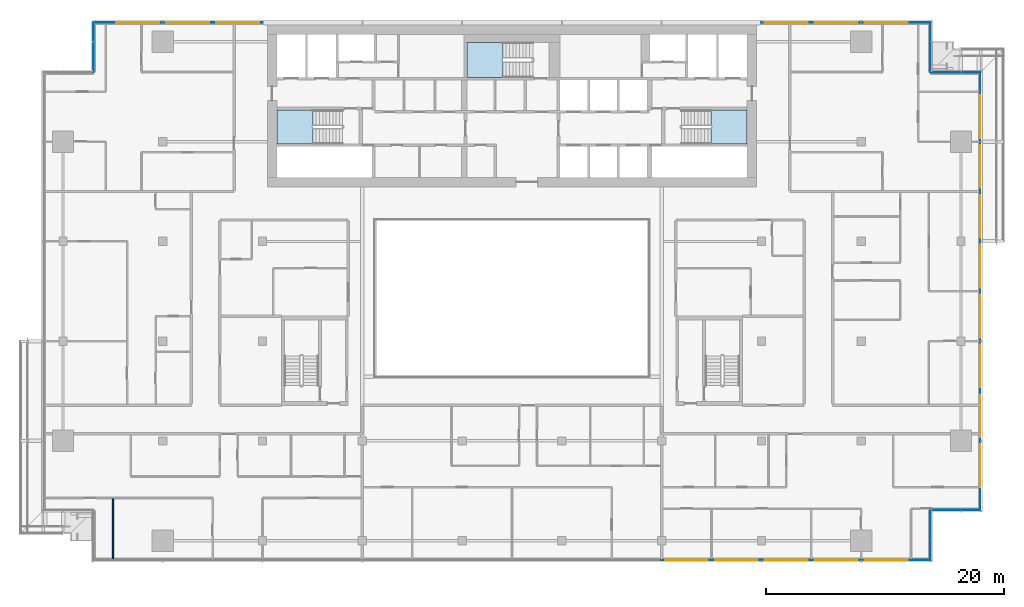
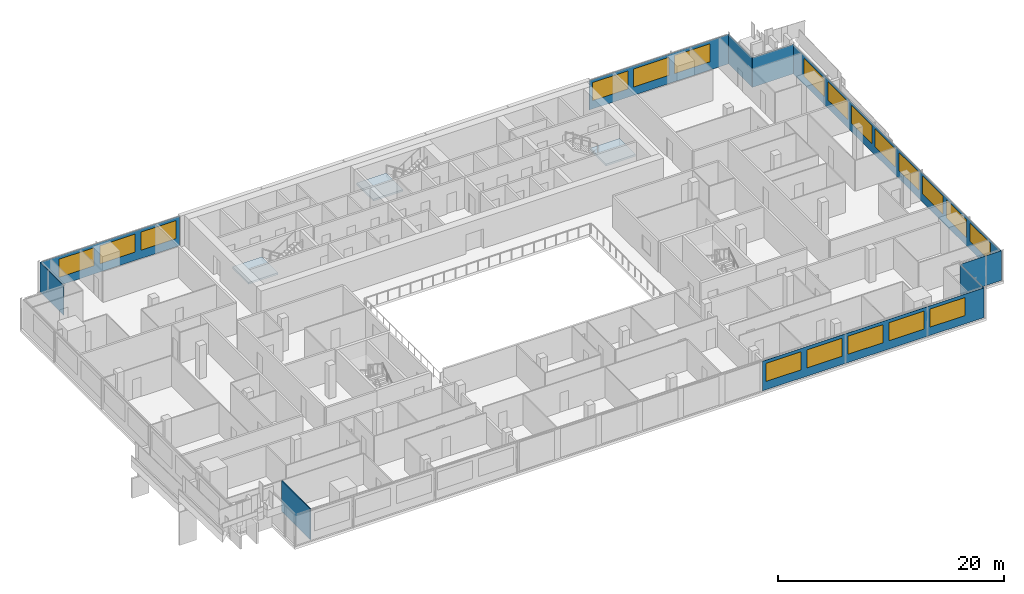
# One storey, part 15 of 29: 19 windows, 9 plates, 3 slabs, 1 wall, 19 openings, 11 elements without a shape of their own.
"""IFC4 building model written with IfcOpenShell, lengths in metres."""

from ifc_helpers import new_model, si_unit, direction, frame, frame_2d, origin, place, context, subcontext, project, spatial, polyline, rectangle, outline, extrude, material, layer, layer_set, type_object, element, fill, aggregate, save


model = new_model("IFC4")

# Units and contexts
model_context = context("Model", 3, precision=1e-05, world=origin(), true_north=direction((0.0, 1.0)))
body_context = subcontext(model_context, "Body", "Model", "MODEL_VIEW")
ifc_project = project(units=[si_unit("LENGTHUNIT", "METRE"), si_unit("AREAUNIT", "SQUARE_METRE"), si_unit("VOLUMEUNIT", "CUBIC_METRE"), si_unit("PLANEANGLEUNIT", "RADIAN"), si_unit("MASSUNIT", "GRAM", prefix="KILO")], contexts=[model_context])

# Site, building, storey
site_placement = place(None, origin())
site = spatial("IfcSite", under=ifc_project, at=site_placement, CompositionType="ELEMENT")
building_placement = place(site_placement, origin())
building = spatial("IfcBuilding", under=site, at=building_placement, Name="Saffron Gate Tower", CompositionType="ELEMENT")
storey_placement = place(building_placement, frame((0.0, 0.0, 187.050048828125)))
storey = spatial("IfcBuildingStorey", under=building, at=storey_placement, Name="L46", CompositionType="ELEMENT", Elevation=187.050048828125)

# Curtain wall, plate, openings, windows
ifc_material_1 = material(Name="Aluminium, bronze anodised", Category="aluminium")
curtain_wall_type_1 = type_object("IfcCurtainWallType", Name="CWS1 curtain wall front facade", PredefinedType="NOTDEFINED", material=ifc_material_1)
curtain_wall_1_placement = place(storey_placement, origin())
curtain_wall_1 = element("IfcCurtainWall", 1, at=curtain_wall_1_placement, inside=storey, type_object=curtain_wall_type_1, Name="CWS1 run 1", PredefinedType="NOTDEFINED")
ifc_material_2 = material(Name="Fritted bronze-tinted laminated glass", Category="glass")
ifc_layer_1 = layer(ifc_material_2, 0.028076171875)
ifc_layer_set_1 = layer_set([ifc_layer_1], Name="CWS1 fixed glass")
plate_type_1 = type_object("IfcPlateType", Name="CWS1 fixed glass", PredefinedType="CURTAIN_PANEL", material=ifc_layer_set_1)
plate_1_placement = place(storey_placement, frame((100.169921875, 30.174072265625, 0.0), z_axis=(0.0, 0.0, 1.0), x_axis=(1.0, 0.0, 0.0)))
plate_1 = element("IfcPlate", 2, at=plate_1_placement, type_object=plate_type_1, Name="CWS1 glass panel", PredefinedType="CURTAIN_PANEL", context=body_context, shape_type="SweptSolid", body=[
    extrude(rectangle(XDim=22.64208984375, YDim=0.028076171875, at=frame_2d((11.321044921875, 0.0))), origin(), (0.0, 0.0, 1.0), 3.199951171875),
])
opening_1_placement = place(plate_1_placement, frame((0.330078125, 0.0, 0.89990234375)))
opening_1 = element("IfcOpeningElement", 3, at=opening_1_placement, cuts=plate_1, Name="Opening W1", PredefinedType="OPENING", context=body_context, shape_type="SweptSolid", body=[
    extrude(rectangle(XDim=3.60009765625, YDim=1.949951171875, at=frame_2d((1.800048828125, 0.97509765625))), frame((0.0, 0.02392578125, 0.0), z_axis=(0.0, -1.0, 0.0), x_axis=(1.0, 0.0, 0.0)), (0.0, 0.0, 1.0), 0.048095703125),
])
opening_2_placement = place(plate_1_placement, frame((4.530029296875, 0.0, 0.89990234375)))
opening_2 = element("IfcOpeningElement", 4, at=opening_2_placement, cuts=plate_1, Name="Opening W1", PredefinedType="OPENING", context=body_context, shape_type="SweptSolid", body=[
    extrude(rectangle(XDim=3.60009765625, YDim=1.949951171875, at=frame_2d((1.800048828125, 0.97509765625))), frame((0.0, 0.02392578125, 0.0), z_axis=(0.0, -1.0, 0.0), x_axis=(1.0, 0.0, 0.0)), (0.0, 0.0, 1.0), 0.048095703125),
])
opening_3_placement = place(plate_1_placement, frame((8.72998046875, 0.0, 0.89990234375)))
opening_3 = element("IfcOpeningElement", 5, at=opening_3_placement, cuts=plate_1, Name="Opening W1", PredefinedType="OPENING", context=body_context, shape_type="SweptSolid", body=[
    extrude(rectangle(XDim=3.60009765625, YDim=1.949951171875, at=frame_2d((1.800048828125, 0.97509765625))), frame((0.0, 0.02392578125, 0.0), z_axis=(0.0, -1.0, 0.0), x_axis=(1.0, 0.0, 0.0)), (0.0, 0.0, 1.0), 0.048095703125),
])
opening_4_placement = place(plate_1_placement, frame((12.929931640625, 0.0, 0.89990234375)))
opening_4 = element("IfcOpeningElement", 6, at=opening_4_placement, cuts=plate_1, Name="Opening W1", PredefinedType="OPENING", context=body_context, shape_type="SweptSolid", body=[
    extrude(rectangle(XDim=3.60009765625, YDim=1.949951171875, at=frame_2d((1.800048828125, 0.97509765625))), frame((0.0, 0.02392578125, 0.0), z_axis=(0.0, -1.0, 0.0), x_axis=(1.0, 0.0, 0.0)), (0.0, 0.0, 1.0), 0.048095703125),
])
opening_5_placement = place(plate_1_placement, frame((17.1298828125, 0.0, 0.89990234375)))
opening_5 = element("IfcOpeningElement", 7, at=opening_5_placement, cuts=plate_1, Name="Opening W1", PredefinedType="OPENING", context=body_context, shape_type="SweptSolid", body=[
    extrude(rectangle(XDim=3.60009765625, YDim=1.949951171875, at=frame_2d((1.800048828125, 0.97509765625))), frame((0.0, 0.02392578125, 0.0), z_axis=(0.0, -1.0, 0.0), x_axis=(1.0, 0.0, 0.0)), (0.0, 0.0, 1.0), 0.048095703125),
])
ifc_material_3 = material(Name="Fritted bronze-tinted laminated glass in bronze frame", Category="glass")
ifc_layer_2 = layer(ifc_material_3, 0.06005859375)
ifc_layer_set_2 = layer_set([ifc_layer_2], Name="W1 operable panel 3600x1950")
window_type = type_object("IfcWindowType", Name="W1 operable panel 3600x1950", PartitioningType="DOUBLE_PANEL_HORIZONTAL", PredefinedType="WINDOW", material=ifc_layer_set_2)
window_1_placement = place(opening_1_placement, origin())
window_1 = element("IfcWindow", 8, at=window_1_placement, type_object=window_type, Name="W1 operable panel", OverallHeight=1.949951171875, OverallWidth=3.60009765625, PartitioningType="SINGLE_PANEL", PredefinedType="WINDOW", context=body_context, shape_type="SweptSolid", body=[
    extrude(rectangle(XDim=3.60009765625, YDim=1.949951171875, at=frame_2d((1.800048828125, 0.97509765625))), frame((0.0, 0.013671875, 0.0), z_axis=(0.0, -1.0, 0.0), x_axis=(1.0, 0.0, 0.0)), (0.0, 0.0, 1.0), 0.027587890625),
])
fill(opening_1, window_1)
window_2_placement = place(opening_2_placement, origin())
window_2 = element("IfcWindow", 9, at=window_2_placement, type_object=window_type, Name="W1 operable panel", OverallHeight=1.949951171875, OverallWidth=3.60009765625, PartitioningType="SINGLE_PANEL", PredefinedType="WINDOW", context=body_context, shape_type="SweptSolid", body=[
    extrude(rectangle(XDim=3.60009765625, YDim=1.949951171875, at=frame_2d((1.800048828125, 0.97509765625))), frame((0.0, 0.013671875, 0.0), z_axis=(0.0, -1.0, 0.0), x_axis=(1.0, 0.0, 0.0)), (0.0, 0.0, 1.0), 0.027587890625),
])
fill(opening_2, window_2)
window_3_placement = place(opening_3_placement, origin())
window_3 = element("IfcWindow", 10, at=window_3_placement, type_object=window_type, Name="W1 operable panel", OverallHeight=1.949951171875, OverallWidth=3.60009765625, PartitioningType="SINGLE_PANEL", PredefinedType="WINDOW", context=body_context, shape_type="SweptSolid", body=[
    extrude(rectangle(XDim=3.60009765625, YDim=1.949951171875, at=frame_2d((1.800048828125, 0.97509765625))), frame((0.0, 0.013671875, 0.0), z_axis=(0.0, -1.0, 0.0), x_axis=(1.0, 0.0, 0.0)), (0.0, 0.0, 1.0), 0.027587890625),
])
fill(opening_3, window_3)
window_4_placement = place(opening_4_placement, origin())
window_4 = element("IfcWindow", 11, at=window_4_placement, type_object=window_type, Name="W1 operable panel", OverallHeight=1.949951171875, OverallWidth=3.60009765625, PartitioningType="SINGLE_PANEL", PredefinedType="WINDOW", context=body_context, shape_type="SweptSolid", body=[
    extrude(rectangle(XDim=3.60009765625, YDim=1.949951171875, at=frame_2d((1.800048828125, 0.97509765625))), frame((0.0, 0.013671875, 0.0), z_axis=(0.0, -1.0, 0.0), x_axis=(1.0, 0.0, 0.0)), (0.0, 0.0, 1.0), 0.027587890625),
])
fill(opening_4, window_4)
window_5_placement = place(opening_5_placement, origin())
window_5 = element("IfcWindow", 12, at=window_5_placement, type_object=window_type, Name="W1 operable panel", OverallHeight=1.949951171875, OverallWidth=3.60009765625, PartitioningType="SINGLE_PANEL", PredefinedType="WINDOW", context=body_context, shape_type="SweptSolid", body=[
    extrude(rectangle(XDim=3.60009765625, YDim=1.949951171875, at=frame_2d((1.800048828125, 0.97509765625))), frame((0.0, 0.013671875, 0.0), z_axis=(0.0, -1.0, 0.0), x_axis=(1.0, 0.0, 0.0)), (0.0, 0.0, 1.0), 0.027587890625),
])
fill(opening_5, window_5)
aggregate(curtain_wall_1, [plate_1, window_1, window_2, window_3, window_4, window_5])

curtain_wall_type_2 = type_object("IfcCurtainWallType", Name="CWS2 curtain wall side facades", PredefinedType="NOTDEFINED", material=ifc_material_1)
curtain_wall_2_placement = place(storey_placement, origin())
curtain_wall_2 = element("IfcCurtainWall", 13, at=curtain_wall_2_placement, inside=storey, type_object=curtain_wall_type_2, Name="CWS2 run 4", PredefinedType="NOTDEFINED")
ifc_layer_3 = layer(ifc_material_2, 0.028076171875)
ifc_layer_set_3 = layer_set([ifc_layer_3], Name="CWS2 fixed glass")
plate_type_2 = type_object("IfcPlateType", Name="CWS2 fixed glass", PredefinedType="CURTAIN_PANEL", material=ifc_layer_set_3)
plate_2_placement = place(storey_placement, frame((127.02587890625, 34.387939453125, 0.0), z_axis=(0.0, 0.0, 1.0), x_axis=(0.0, 1.0, 0.0)))
plate_2 = element("IfcPlate", 14, at=plate_2_placement, type_object=plate_type_2, Name="CWS2 glass panel", PredefinedType="CURTAIN_PANEL", context=body_context, shape_type="SweptSolid", body=[
    extrude(rectangle(XDim=36.823974609375, YDim=0.028076171875, at=frame_2d((18.412109375, 0.0))), origin(), (0.0, 0.0, 1.0), 3.199951171875),
])
opening_6_placement = place(plate_2_placement, frame((1.912109375, 0.0, 0.89990234375)))
opening_6 = element("IfcOpeningElement", 15, at=opening_6_placement, cuts=plate_2, Name="Opening W1", PredefinedType="OPENING", context=body_context, shape_type="SweptSolid", body=[
    extrude(rectangle(XDim=3.60009765625, YDim=1.949951171875, at=frame_2d((1.800048828125, 0.97509765625))), frame((0.0, 0.02392578125, 0.0), z_axis=(0.0, -1.0, 0.0), x_axis=(1.0, 0.0, 0.0)), (0.0, 0.0, 1.0), 0.048095703125),
])
opening_7_placement = place(plate_2_placement, frame((6.112060546875, 0.0, 0.89990234375)))
opening_7 = element("IfcOpeningElement", 16, at=opening_7_placement, cuts=plate_2, Name="Opening W1", PredefinedType="OPENING", context=body_context, shape_type="SweptSolid", body=[
    extrude(rectangle(XDim=3.60009765625, YDim=1.949951171875, at=frame_2d((1.800048828125, 0.97509765625))), frame((0.0, 0.02392578125, 0.0), z_axis=(0.0, -1.0, 0.0), x_axis=(1.0, 0.0, 0.0)), (0.0, 0.0, 1.0), 0.048095703125),
])
opening_8_placement = place(plate_2_placement, frame((10.31201171875, 0.0, 0.89990234375)))
opening_8 = element("IfcOpeningElement", 17, at=opening_8_placement, cuts=plate_2, Name="Opening W1", PredefinedType="OPENING", context=body_context, shape_type="SweptSolid", body=[
    extrude(rectangle(XDim=3.60009765625, YDim=1.949951171875, at=frame_2d((1.800048828125, 0.97509765625))), frame((0.0, 0.02392578125, 0.0), z_axis=(0.0, -1.0, 0.0), x_axis=(1.0, 0.0, 0.0)), (0.0, 0.0, 1.0), 0.048095703125),
])
opening_9_placement = place(plate_2_placement, frame((14.511962890625, 0.0, 0.89990234375)))
opening_9 = element("IfcOpeningElement", 18, at=opening_9_placement, cuts=plate_2, Name="Opening W1", PredefinedType="OPENING", context=body_context, shape_type="SweptSolid", body=[
    extrude(rectangle(XDim=3.60009765625, YDim=1.949951171875, at=frame_2d((1.800048828125, 0.97509765625))), frame((0.0, 0.02392578125, 0.0), z_axis=(0.0, -1.0, 0.0), x_axis=(1.0, 0.0, 0.0)), (0.0, 0.0, 1.0), 0.048095703125),
])
opening_10_placement = place(plate_2_placement, frame((18.7119140625, 0.0, 0.89990234375)))
opening_10 = element("IfcOpeningElement", 19, at=opening_10_placement, cuts=plate_2, Name="Opening W1", PredefinedType="OPENING", context=body_context, shape_type="SweptSolid", body=[
    extrude(rectangle(XDim=3.60009765625, YDim=1.949951171875, at=frame_2d((1.800048828125, 0.97509765625))), frame((0.0, 0.02392578125, 0.0), z_axis=(0.0, -1.0, 0.0), x_axis=(1.0, 0.0, 0.0)), (0.0, 0.0, 1.0), 0.048095703125),
])
opening_11_placement = place(plate_2_placement, frame((22.912109375, 0.0, 0.89990234375)))
opening_11 = element("IfcOpeningElement", 20, at=opening_11_placement, cuts=plate_2, Name="Opening W1", PredefinedType="OPENING", context=body_context, shape_type="SweptSolid", body=[
    extrude(rectangle(XDim=3.60009765625, YDim=1.949951171875, at=frame_2d((1.800048828125, 0.97509765625))), frame((0.0, 0.02392578125, 0.0), z_axis=(0.0, -1.0, 0.0), x_axis=(1.0, 0.0, 0.0)), (0.0, 0.0, 1.0), 0.048095703125),
])
opening_12_placement = place(plate_2_placement, frame((27.112060546875, 0.0, 0.89990234375)))
opening_12 = element("IfcOpeningElement", 21, at=opening_12_placement, cuts=plate_2, Name="Opening W1", PredefinedType="OPENING", context=body_context, shape_type="SweptSolid", body=[
    extrude(rectangle(XDim=3.60009765625, YDim=1.949951171875, at=frame_2d((1.800048828125, 0.97509765625))), frame((0.0, 0.02392578125, 0.0), z_axis=(0.0, -1.0, 0.0), x_axis=(1.0, 0.0, 0.0)), (0.0, 0.0, 1.0), 0.048095703125),
])
opening_13_placement = place(plate_2_placement, frame((31.31201171875, 0.0, 0.89990234375)))
opening_13 = element("IfcOpeningElement", 22, at=opening_13_placement, cuts=plate_2, Name="Opening W1", PredefinedType="OPENING", context=body_context, shape_type="SweptSolid", body=[
    extrude(rectangle(XDim=3.60009765625, YDim=1.949951171875, at=frame_2d((1.800048828125, 0.97509765625))), frame((0.0, 0.02392578125, 0.0), z_axis=(0.0, -1.0, 0.0), x_axis=(1.0, 0.0, 0.0)), (0.0, 0.0, 1.0), 0.048095703125),
])
window_6_placement = place(opening_6_placement, origin())
window_6 = element("IfcWindow", 23, at=window_6_placement, type_object=window_type, Name="W1 operable panel", OverallHeight=1.949951171875, OverallWidth=3.60009765625, PartitioningType="SINGLE_PANEL", PredefinedType="WINDOW", context=body_context, shape_type="SweptSolid", body=[
    extrude(rectangle(XDim=3.60009765625, YDim=1.949951171875, at=frame_2d((1.800048828125, 0.97509765625))), frame((0.0, 0.013671875, 0.0), z_axis=(0.0, -1.0, 0.0), x_axis=(1.0, 0.0, 0.0)), (0.0, 0.0, 1.0), 0.027587890625),
])
fill(opening_6, window_6)
window_7_placement = place(opening_7_placement, origin())
window_7 = element("IfcWindow", 24, at=window_7_placement, type_object=window_type, Name="W1 operable panel", OverallHeight=1.949951171875, OverallWidth=3.60009765625, PartitioningType="SINGLE_PANEL", PredefinedType="WINDOW", context=body_context, shape_type="SweptSolid", body=[
    extrude(rectangle(XDim=3.60009765625, YDim=1.949951171875, at=frame_2d((1.800048828125, 0.97509765625))), frame((0.0, 0.013671875, 0.0), z_axis=(0.0, -1.0, 0.0), x_axis=(1.0, 0.0, 0.0)), (0.0, 0.0, 1.0), 0.027587890625),
])
fill(opening_7, window_7)
window_8_placement = place(opening_8_placement, origin())
window_8 = element("IfcWindow", 25, at=window_8_placement, type_object=window_type, Name="W1 operable panel", OverallHeight=1.949951171875, OverallWidth=3.60009765625, PartitioningType="SINGLE_PANEL", PredefinedType="WINDOW", context=body_context, shape_type="SweptSolid", body=[
    extrude(rectangle(XDim=3.60009765625, YDim=1.949951171875, at=frame_2d((1.800048828125, 0.97509765625))), frame((0.0, 0.013671875, 0.0), z_axis=(0.0, -1.0, 0.0), x_axis=(1.0, 0.0, 0.0)), (0.0, 0.0, 1.0), 0.027587890625),
])
fill(opening_8, window_8)
window_9_placement = place(opening_9_placement, origin())
window_9 = element("IfcWindow", 26, at=window_9_placement, type_object=window_type, Name="W1 operable panel", OverallHeight=1.949951171875, OverallWidth=3.60009765625, PartitioningType="SINGLE_PANEL", PredefinedType="WINDOW", context=body_context, shape_type="SweptSolid", body=[
    extrude(rectangle(XDim=3.60009765625, YDim=1.949951171875, at=frame_2d((1.800048828125, 0.97509765625))), frame((0.0, 0.013671875, 0.0), z_axis=(0.0, -1.0, 0.0), x_axis=(1.0, 0.0, 0.0)), (0.0, 0.0, 1.0), 0.027587890625),
])
fill(opening_9, window_9)
window_10_placement = place(opening_10_placement, origin())
window_10 = element("IfcWindow", 27, at=window_10_placement, type_object=window_type, Name="W1 operable panel", OverallHeight=1.949951171875, OverallWidth=3.60009765625, PartitioningType="SINGLE_PANEL", PredefinedType="WINDOW", context=body_context, shape_type="SweptSolid", body=[
    extrude(rectangle(XDim=3.60009765625, YDim=1.949951171875, at=frame_2d((1.800048828125, 0.97509765625))), frame((0.0, 0.013671875, 0.0), z_axis=(0.0, -1.0, 0.0), x_axis=(1.0, 0.0, 0.0)), (0.0, 0.0, 1.0), 0.027587890625),
])
fill(opening_10, window_10)
window_11_placement = place(opening_11_placement, origin())
window_11 = element("IfcWindow", 28, at=window_11_placement, type_object=window_type, Name="W1 operable panel", OverallHeight=1.949951171875, OverallWidth=3.60009765625, PartitioningType="SINGLE_PANEL", PredefinedType="WINDOW", context=body_context, shape_type="SweptSolid", body=[
    extrude(rectangle(XDim=3.60009765625, YDim=1.949951171875, at=frame_2d((1.800048828125, 0.97509765625))), frame((0.0, 0.013671875, 0.0), z_axis=(0.0, -1.0, 0.0), x_axis=(1.0, 0.0, 0.0)), (0.0, 0.0, 1.0), 0.027587890625),
])
fill(opening_11, window_11)
window_12_placement = place(opening_12_placement, origin())
window_12 = element("IfcWindow", 29, at=window_12_placement, type_object=window_type, Name="W1 operable panel", OverallHeight=1.949951171875, OverallWidth=3.60009765625, PartitioningType="SINGLE_PANEL", PredefinedType="WINDOW", context=body_context, shape_type="SweptSolid", body=[
    extrude(rectangle(XDim=3.60009765625, YDim=1.949951171875, at=frame_2d((1.800048828125, 0.97509765625))), frame((0.0, 0.013671875, 0.0), z_axis=(0.0, -1.0, 0.0), x_axis=(1.0, 0.0, 0.0)), (0.0, 0.0, 1.0), 0.027587890625),
])
fill(opening_12, window_12)
window_13_placement = place(opening_13_placement, origin())
window_13 = element("IfcWindow", 30, at=window_13_placement, type_object=window_type, Name="W1 operable panel", OverallHeight=1.949951171875, OverallWidth=3.60009765625, PartitioningType="SINGLE_PANEL", PredefinedType="WINDOW", context=body_context, shape_type="SweptSolid", body=[
    extrude(rectangle(XDim=3.60009765625, YDim=1.949951171875, at=frame_2d((1.800048828125, 0.97509765625))), frame((0.0, 0.013671875, 0.0), z_axis=(0.0, -1.0, 0.0), x_axis=(1.0, 0.0, 0.0)), (0.0, 0.0, 1.0), 0.027587890625),
])
fill(opening_13, window_13)
aggregate(curtain_wall_2, [plate_2, window_6, window_7, window_8, window_9, window_10, window_11, window_12, window_13])

# Curtain wall, plates, openings, windows
curtain_wall_type_3 = type_object("IfcCurtainWallType", Name="CWS3 curtain wall rear facade", PredefinedType="NOTDEFINED", material=ifc_material_1)
curtain_wall_3_placement = place(storey_placement, origin())
curtain_wall_3 = element("IfcCurtainWall", 31, at=curtain_wall_3_placement, inside=storey, type_object=curtain_wall_type_3, Name="CWS3 run 7", PredefinedType="NOTDEFINED")
ifc_material_4 = material(Name="Fritted grey-tinted laminated glass", Category="glass")
ifc_layer_4 = layer(ifc_material_4, 0.028076171875)
ifc_layer_set_4 = layer_set([ifc_layer_4], Name="CWS3 fixed glass")
plate_type_3 = type_object("IfcPlateType", Name="CWS3 fixed glass", PredefinedType="CURTAIN_PANEL", material=ifc_layer_set_4)
plate_3_placement = place(storey_placement, frame((122.81201171875, 75.426025390625, 0.0), z_axis=(0.0, 0.0, 1.0), x_axis=(-1.0, 0.0, 0.0)))
plate_3 = element("IfcPlate", 32, at=plate_3_placement, type_object=plate_type_3, Name="CWS3 glass panel", PredefinedType="CURTAIN_PANEL", context=body_context, shape_type="SweptSolid", body=[
    extrude(rectangle(XDim=14.2470703125, YDim=0.028076171875, at=frame_2d((7.12353515625, 0.0))), origin(), (0.0, 0.0, 1.0), 3.199951171875),
])
opening_14_placement = place(plate_3_placement, frame((1.912109375, 0.0, 0.89990234375)))
opening_14 = element("IfcOpeningElement", 33, at=opening_14_placement, cuts=plate_3, Name="Opening W1", PredefinedType="OPENING", context=body_context, shape_type="SweptSolid", body=[
    extrude(rectangle(XDim=3.60009765625, YDim=1.949951171875, at=frame_2d((1.800048828125, 0.97509765625))), frame((0.0, 0.02392578125, 0.0), z_axis=(0.0, -1.0, 0.0), x_axis=(1.0, 0.0, 0.0)), (0.0, 0.0, 1.0), 0.048095703125),
])
opening_15_placement = place(plate_3_placement, frame((6.112060546875, 0.0, 0.89990234375)))
opening_15 = element("IfcOpeningElement", 34, at=opening_15_placement, cuts=plate_3, Name="Opening W1", PredefinedType="OPENING", context=body_context, shape_type="SweptSolid", body=[
    extrude(rectangle(XDim=3.60009765625, YDim=1.949951171875, at=frame_2d((1.800048828125, 0.97509765625))), frame((0.0, 0.02392578125, 0.0), z_axis=(0.0, -1.0, 0.0), x_axis=(1.0, 0.0, 0.0)), (0.0, 0.0, 1.0), 0.048095703125),
])
opening_16_placement = place(plate_3_placement, frame((10.31201171875, 0.0, 0.89990234375)))
opening_16 = element("IfcOpeningElement", 35, at=opening_16_placement, cuts=plate_3, Name="Opening W1", PredefinedType="OPENING", context=body_context, shape_type="SweptSolid", body=[
    extrude(rectangle(XDim=3.60009765625, YDim=1.949951171875, at=frame_2d((1.800048828125, 0.97509765625))), frame((0.0, 0.02392578125, 0.0), z_axis=(0.0, -1.0, 0.0), x_axis=(1.0, 0.0, 0.0)), (0.0, 0.0, 1.0), 0.048095703125),
])
window_14_placement = place(opening_14_placement, origin())
window_14 = element("IfcWindow", 36, at=window_14_placement, type_object=window_type, Name="W1 operable panel", OverallHeight=1.949951171875, OverallWidth=3.60009765625, PartitioningType="SINGLE_PANEL", PredefinedType="WINDOW", context=body_context, shape_type="SweptSolid", body=[
    extrude(rectangle(XDim=3.60009765625, YDim=1.949951171875, at=frame_2d((1.800048828125, 0.97509765625))), frame((0.0, 0.013671875, 0.0), z_axis=(0.0, -1.0, 0.0), x_axis=(1.0, 0.0, 0.0)), (0.0, 0.0, 1.0), 0.027587890625),
])
fill(opening_14, window_14)
window_15_placement = place(opening_15_placement, origin())
window_15 = element("IfcWindow", 37, at=window_15_placement, type_object=window_type, Name="W1 operable panel", OverallHeight=1.949951171875, OverallWidth=3.60009765625, PartitioningType="SINGLE_PANEL", PredefinedType="WINDOW", context=body_context, shape_type="SweptSolid", body=[
    extrude(rectangle(XDim=3.60009765625, YDim=1.949951171875, at=frame_2d((1.800048828125, 0.97509765625))), frame((0.0, 0.013671875, 0.0), z_axis=(0.0, -1.0, 0.0), x_axis=(1.0, 0.0, 0.0)), (0.0, 0.0, 1.0), 0.027587890625),
])
fill(opening_15, window_15)
window_16_placement = place(opening_16_placement, origin())
window_16 = element("IfcWindow", 38, at=window_16_placement, type_object=window_type, Name="W1 operable panel", OverallHeight=1.949951171875, OverallWidth=3.60009765625, PartitioningType="SINGLE_PANEL", PredefinedType="WINDOW", context=body_context, shape_type="SweptSolid", body=[
    extrude(rectangle(XDim=3.60009765625, YDim=1.949951171875, at=frame_2d((1.800048828125, 0.97509765625))), frame((0.0, 0.013671875, 0.0), z_axis=(0.0, -1.0, 0.0), x_axis=(1.0, 0.0, 0.0)), (0.0, 0.0, 1.0), 0.027587890625),
])
fill(opening_16, window_16)
plate_4_placement = place(storey_placement, frame((66.635009765625, 75.426025390625, 0.0), z_axis=(0.0, 0.0, 1.0), x_axis=(-1.0, 0.0, 0.0)))
plate_4 = element("IfcPlate", 39, at=plate_4_placement, type_object=plate_type_3, Name="CWS3 glass panel", PredefinedType="CURTAIN_PANEL", context=body_context, shape_type="SweptSolid", body=[
    extrude(rectangle(XDim=14.2470703125, YDim=0.028076171875, at=frame_2d((7.12353515625, 0.0))), origin(), (0.0, 0.0, 1.0), 3.199951171875),
])
opening_17_placement = place(plate_4_placement, frame((0.3349609375, 0.0, 0.89990234375)))
opening_17 = element("IfcOpeningElement", 40, at=opening_17_placement, cuts=plate_4, Name="Opening W1", PredefinedType="OPENING", context=body_context, shape_type="SweptSolid", body=[
    extrude(rectangle(XDim=3.60009765625, YDim=1.949951171875, at=frame_2d((1.800048828125, 0.97509765625))), frame((0.0, 0.02392578125, 0.0), z_axis=(0.0, -1.0, 0.0), x_axis=(1.0, 0.0, 0.0)), (0.0, 0.0, 1.0), 0.048095703125),
])
opening_18_placement = place(plate_4_placement, frame((4.534912109375, 0.0, 0.89990234375)))
opening_18 = element("IfcOpeningElement", 41, at=opening_18_placement, cuts=plate_4, Name="Opening W1", PredefinedType="OPENING", context=body_context, shape_type="SweptSolid", body=[
    extrude(rectangle(XDim=3.60009765625, YDim=1.949951171875, at=frame_2d((1.800048828125, 0.97509765625))), frame((0.0, 0.02392578125, 0.0), z_axis=(0.0, -1.0, 0.0), x_axis=(1.0, 0.0, 0.0)), (0.0, 0.0, 1.0), 0.048095703125),
])
opening_19_placement = place(plate_4_placement, frame((8.735107421875, 0.0, 0.89990234375)))
opening_19 = element("IfcOpeningElement", 42, at=opening_19_placement, cuts=plate_4, Name="Opening W1", PredefinedType="OPENING", context=body_context, shape_type="SweptSolid", body=[
    extrude(rectangle(XDim=3.60009765625, YDim=1.949951171875, at=frame_2d((1.800048828125, 0.97509765625))), frame((0.0, 0.02392578125, 0.0), z_axis=(0.0, -1.0, 0.0), x_axis=(1.0, 0.0, 0.0)), (0.0, 0.0, 1.0), 0.048095703125),
])
window_17_placement = place(opening_17_placement, origin())
window_17 = element("IfcWindow", 43, at=window_17_placement, type_object=window_type, Name="W1 operable panel", OverallHeight=1.949951171875, OverallWidth=3.60009765625, PartitioningType="SINGLE_PANEL", PredefinedType="WINDOW", context=body_context, shape_type="SweptSolid", body=[
    extrude(rectangle(XDim=3.60009765625, YDim=1.949951171875, at=frame_2d((1.800048828125, 0.97509765625))), frame((0.0, 0.013671875, 0.0), z_axis=(0.0, -1.0, 0.0), x_axis=(1.0, 0.0, 0.0)), (0.0, 0.0, 1.0), 0.027587890625),
])
fill(opening_17, window_17)
window_18_placement = place(opening_18_placement, origin())
window_18 = element("IfcWindow", 44, at=window_18_placement, type_object=window_type, Name="W1 operable panel", OverallHeight=1.949951171875, OverallWidth=3.60009765625, PartitioningType="SINGLE_PANEL", PredefinedType="WINDOW", context=body_context, shape_type="SweptSolid", body=[
    extrude(rectangle(XDim=3.60009765625, YDim=1.949951171875, at=frame_2d((1.800048828125, 0.97509765625))), frame((0.0, 0.013671875, 0.0), z_axis=(0.0, -1.0, 0.0), x_axis=(1.0, 0.0, 0.0)), (0.0, 0.0, 1.0), 0.027587890625),
])
fill(opening_18, window_18)
window_19_placement = place(opening_19_placement, origin())
window_19 = element("IfcWindow", 45, at=window_19_placement, type_object=window_type, Name="W1 operable panel", OverallHeight=1.949951171875, OverallWidth=3.60009765625, PartitioningType="SINGLE_PANEL", PredefinedType="WINDOW", context=body_context, shape_type="SweptSolid", body=[
    extrude(rectangle(XDim=3.60009765625, YDim=1.949951171875, at=frame_2d((1.800048828125, 0.97509765625))), frame((0.0, 0.013671875, 0.0), z_axis=(0.0, -1.0, 0.0), x_axis=(1.0, 0.0, 0.0)), (0.0, 0.0, 1.0), 0.027587890625),
])
fill(opening_19, window_19)
aggregate(curtain_wall_3, [plate_3, plate_4, window_14, window_15, window_16, window_17, window_18, window_19])

# Curtain wall, plate
curtain_wall_type_4 = type_object("IfcCurtainWallType", Name="CWS4 curtain wall corner returns", PredefinedType="NOTDEFINED", material=ifc_material_1)
curtain_wall_4_placement = place(storey_placement, origin())
curtain_wall_4 = element("IfcCurtainWall", 46, at=curtain_wall_4_placement, inside=storey, type_object=curtain_wall_type_4, Name="CWS4 run 2", PredefinedType="NOTDEFINED")
ifc_layer_5 = layer(ifc_material_2, 0.028076171875)
ifc_layer_set_5 = layer_set([ifc_layer_5], Name="CWS4 fixed glass")
plate_type_4 = type_object("IfcPlateType", Name="CWS4 fixed glass", PredefinedType="CURTAIN_PANEL", material=ifc_layer_set_5)
plate_5_placement = place(storey_placement, frame((122.825927734375, 30.18798828125, 0.0), z_axis=(0.0, 0.0, 1.0), x_axis=(0.0, 1.0, 0.0)))
plate_5 = element("IfcPlate", 47, at=plate_5_placement, type_object=plate_type_4, Name="CWS4 glass panel", PredefinedType="CURTAIN_PANEL", context=body_context, shape_type="SweptSolid", body=[
    extrude(rectangle(XDim=4.172119140625, YDim=0.028076171875, at=frame_2d((2.0859375, 0.0))), origin(), (0.0, 0.0, 1.0), 3.199951171875),
])
aggregate(curtain_wall_4, [plate_5])

curtain_wall_5_placement = place(storey_placement, origin())
curtain_wall_5 = element("IfcCurtainWall", 48, at=curtain_wall_5_placement, inside=storey, type_object=curtain_wall_type_4, Name="CWS4 run 3", PredefinedType="NOTDEFINED")
plate_6_placement = place(storey_placement, frame((122.840087890625, 34.3740234375, 0.0), z_axis=(0.0, 0.0, 1.0), x_axis=(1.0, 0.0, 0.0)))
plate_6 = element("IfcPlate", 49, at=plate_6_placement, type_object=plate_type_4, Name="CWS4 glass panel", PredefinedType="CURTAIN_PANEL", context=body_context, shape_type="SweptSolid", body=[
    extrude(rectangle(XDim=4.171875, YDim=0.028076171875, at=frame_2d((2.0859375, 0.0))), origin(), (0.0, 0.0, 1.0), 3.199951171875),
])
aggregate(curtain_wall_5, [plate_6])

curtain_wall_6_placement = place(storey_placement, origin())
curtain_wall_6 = element("IfcCurtainWall", 50, at=curtain_wall_6_placement, inside=storey, type_object=curtain_wall_type_4, Name="CWS4 run 5", PredefinedType="NOTDEFINED")
plate_7_placement = place(storey_placement, frame((127.011962890625, 71.22607421875, 0.0), z_axis=(0.0, 0.0, 1.0), x_axis=(-1.0, 0.0, 0.0)))
plate_7 = element("IfcPlate", 51, at=plate_7_placement, type_object=plate_type_4, Name="CWS4 glass panel", PredefinedType="CURTAIN_PANEL", context=body_context, shape_type="SweptSolid", body=[
    extrude(rectangle(XDim=4.171875, YDim=0.028076171875, at=frame_2d((2.0859375, 0.0))), origin(), (0.0, 0.0, 1.0), 3.199951171875),
])
aggregate(curtain_wall_6, [plate_7])

curtain_wall_7_placement = place(storey_placement, origin())
curtain_wall_7 = element("IfcCurtainWall", 52, at=curtain_wall_7_placement, inside=storey, type_object=curtain_wall_type_4, Name="CWS4 run 6", PredefinedType="NOTDEFINED")
plate_8_placement = place(storey_placement, frame((122.825927734375, 71.239990234375, 0.0), z_axis=(0.0, 0.0, 1.0), x_axis=(0.0, 1.0, 0.0)))
plate_8 = element("IfcPlate", 53, at=plate_8_placement, type_object=plate_type_4, Name="CWS4 glass panel", PredefinedType="CURTAIN_PANEL", context=body_context, shape_type="SweptSolid", body=[
    extrude(rectangle(XDim=4.172119140625, YDim=0.028076171875, at=frame_2d((2.0859375, 0.0))), origin(), (0.0, 0.0, 1.0), 3.199951171875),
])
aggregate(curtain_wall_7, [plate_8])

curtain_wall_8_placement = place(storey_placement, origin())
curtain_wall_8 = element("IfcCurtainWall", 54, at=curtain_wall_8_placement, inside=storey, type_object=curtain_wall_type_4, Name="CWS4 run 8", PredefinedType="NOTDEFINED")
plate_9_placement = place(storey_placement, frame((52.3740234375, 75.412109375, 0.0), z_axis=(0.0, 0.0, 1.0), x_axis=(0.0, -1.0, 0.0)))
plate_9 = element("IfcPlate", 55, at=plate_9_placement, type_object=plate_type_4, Name="CWS4 glass panel", PredefinedType="CURTAIN_PANEL", context=body_context, shape_type="SweptSolid", body=[
    extrude(rectangle(XDim=4.172119140625, YDim=0.028076171875, at=frame_2d((2.0859375, 0.0))), origin(), (0.0, 0.0, 1.0), 3.199951171875),
])
aggregate(curtain_wall_8, [plate_9])

# Stair, slab
ifc_material_5 = material(Name="Concrete C40", Category="concrete")
stair_type = type_object("IfcStairType", Name="ST7 Stair 1350 wide, 20 risers of 180", PredefinedType="HALF_TURN_STAIR", material=ifc_material_5)
stair_1_placement = place(storey_placement, origin())
stair_1 = element("IfcStair", 56, at=stair_1_placement, inside=storey, type_object=stair_type, Name="L46 Exit stair A", PredefinedType="HALF_TURN_STAIR")
ifc_layer_6 = layer(ifc_material_5, 0.199951171875)
ifc_layer_set_6 = layer_set([ifc_layer_6], Name="SL1 Stair landing 200")
slab_type = type_object("IfcSlabType", Name="SL1 Stair landing 200", PredefinedType="LANDING", material=ifc_layer_set_6)
slab_1_placement = place(storey_placement, frame((0.0, 0.0, 1.599853515625)))
slab_1 = element("IfcSlab", 57, at=slab_1_placement, type_object=slab_type, Name="ST-A landing 1", PredefinedType="LANDING", context=body_context, shape_type="SweptSolid", body=[
    extrude(outline(polyline([(70.830078125, 68.050048828125), (67.800048828125, 68.050048828125), (67.800048828125, 65.199951171875), (70.830078125, 65.199951171875), (70.830078125, 68.050048828125)])), origin(), (0.0, 0.0, 1.0), 0.2001953125),
])
aggregate(stair_1, [slab_1])

stair_2_placement = place(storey_placement, origin())
stair_2 = element("IfcStair", 58, at=stair_2_placement, inside=storey, type_object=stair_type, Name="L46 Exit stair B", PredefinedType="HALF_TURN_STAIR")
slab_2_placement = place(storey_placement, frame((0.0, 0.0, 1.599853515625)))
slab_2 = element("IfcSlab", 59, at=slab_2_placement, type_object=slab_type, Name="ST-B landing 1", PredefinedType="LANDING", context=body_context, shape_type="SweptSolid", body=[
    extrude(outline(polyline([(104.3701171875, 65.199951171875), (107.39990234375, 65.199951171875), (107.39990234375, 68.050048828125), (104.3701171875, 68.050048828125), (104.3701171875, 65.199951171875)])), origin(), (0.0, 0.0, 1.0), 0.2001953125),
])
aggregate(stair_2, [slab_2])

stair_3_placement = place(storey_placement, origin())
stair_3 = element("IfcStair", 60, at=stair_3_placement, inside=storey, type_object=stair_type, Name="L46 Exit stair C", PredefinedType="HALF_TURN_STAIR")
slab_3_placement = place(storey_placement, frame((0.0, 0.0, 1.599853515625)))
slab_3 = element("IfcSlab", 61, at=slab_3_placement, type_object=slab_type, Name="ST-C landing 1", PredefinedType="LANDING", context=body_context, shape_type="SweptSolid", body=[
    extrude(outline(polyline([(86.830078125, 73.75), (83.800048828125, 73.75), (83.800048828125, 70.800048828125), (86.830078125, 70.800048828125), (86.830078125, 73.75)])), origin(), (0.0, 0.0, 1.0), 0.2001953125),
])
aggregate(stair_3, [slab_3])

# Wall
ifc_material_6 = material(Name="Plasterboard on steel studs", Category="steel")
ifc_layer_7 = layer(ifc_material_6, 0.10009765625)
ifc_layer_set_7 = layer_set([ifc_layer_7], Name="PW1 Partition 100")
wall_type = type_object("IfcWallType", Name="PW1 Partition 100", PredefinedType="PARTITIONING", material=ifc_layer_set_7)
wall_placement = place(storey_placement, frame((54.0, 35.35009765625, 0.0), z_axis=(0.0, 0.0, 1.0), x_axis=(0.0, -1.0, 0.0)))
element("IfcWall", 62, at=wall_placement, inside=storey, type_object=wall_type, Name="Partition C4-59", PredefinedType="PARTITIONING", context=body_context, shape_type="SweptSolid", body=[
    extrude(rectangle(XDim=5.070068359375, YDim=0.10009765625, at=frame_2d((2.53515625, 0.0))), origin(), (0.0, 0.0, 1.0), 3.320068359375),
])

save(model, "model.ifc")
